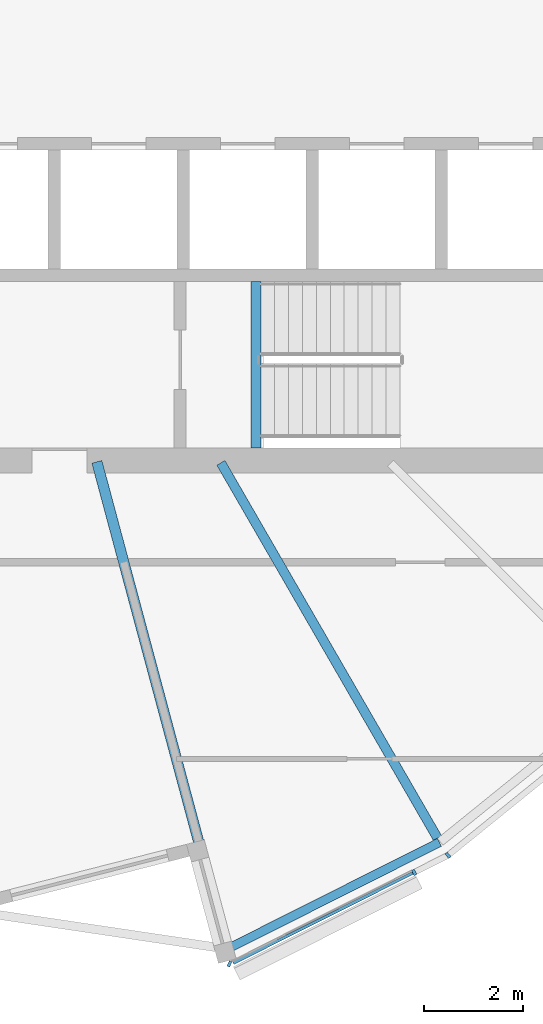
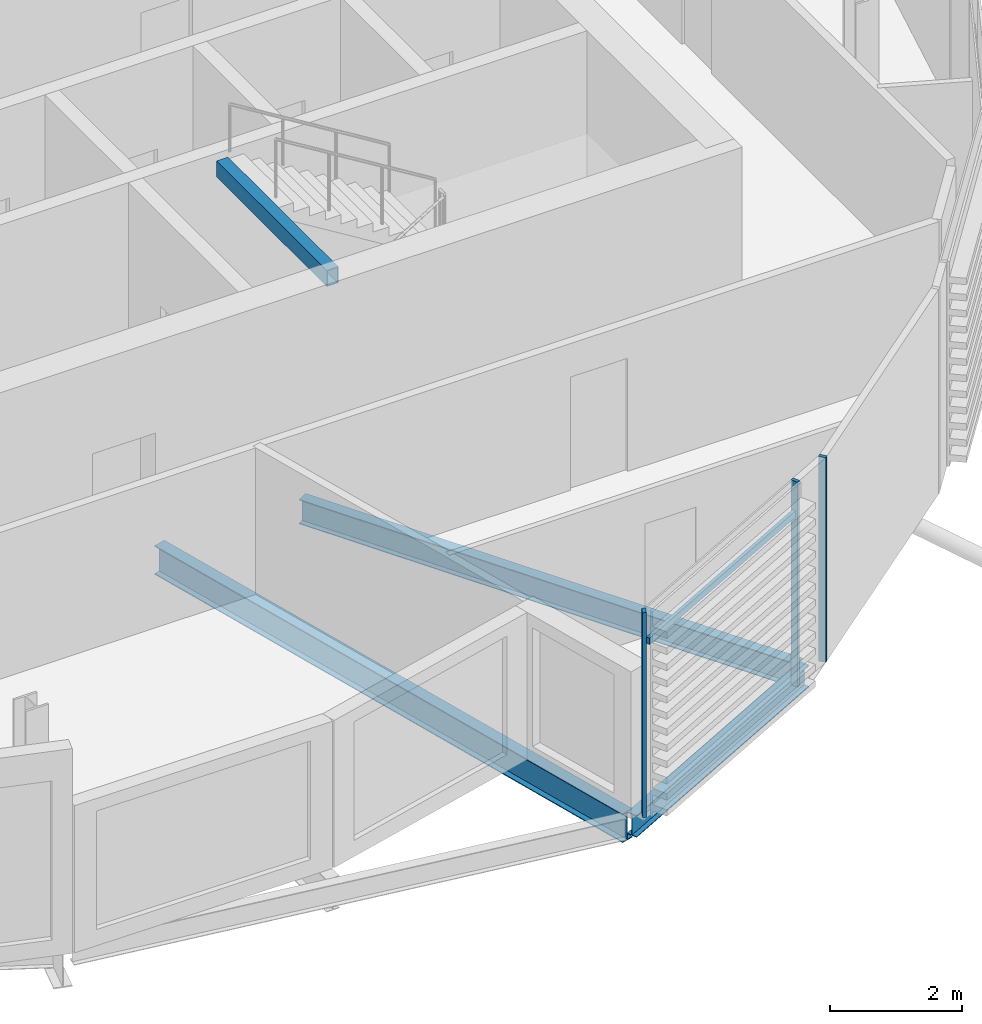
# One storey, part 10 of 33: 4 beams, 4 members, 1 element without a shape of its own.
"""IFC4 building model written with IfcOpenShell, lengths in metres."""

import ifcopenshell
import ifcopenshell.guid

model = None  # the IFC model being written
_history = None  # IfcOwnerHistory: only IFC2X3 demands one
_inside = {}  # id of a spatial element -> (the spatial element, [elements in it])
_under = {}  # id of a project, library or spatial element -> (it, [spatial elements below it])
_declared = {}  # id of a project -> (the project, [libraries it declares])
_typed = {}  # id of a type object -> (the type object, [elements of that type])
_made_of = {}  # id of a material, layer set ... -> (it, [elements and type objects made of it])


def new_model(schema):
    """Start an empty IFC model of exactly this schema.

    Asked for "IFC4X3", IfcOpenShell would pick the latest addendum, in which some entities
    have other attributes; the version numbers below select the first issue.
    IFC2X3 requires an IfcOwnerHistory on every rooted entity: one is made here for all.
    """
    global model, _history
    if schema == "IFC4X3":
        model = ifcopenshell.file(schema_version=(4, 3, 0, 0))
    else:
        model = ifcopenshell.file(schema=schema)
    _inside.clear()
    _under.clear()
    _declared.clear()
    _typed.clear()
    _made_of.clear()
    _history = None
    if model.schema == "IFC2X3":
        org = make("IfcOrganization", Name="unknown")
        user = make(
            "IfcPersonAndOrganization",
            ThePerson=make("IfcPerson", FamilyName="unknown"),
            TheOrganization=org,
        )
        app = make(
            "IfcApplication",
            ApplicationDeveloper=org,
            Version="unknown",
            ApplicationFullName="unknown",
            ApplicationIdentifier="unknown",
        )
        _history = make(
            "IfcOwnerHistory",
            OwningUser=user,
            OwningApplication=app,
            ChangeAction="ADDED",
            CreationDate=0,
        )
    return model


def make(cls, **values):
    """One entity of the class cls with the attributes given. An attribute that is None is left unset."""
    return model.create_entity(
        cls, **{name: value for name, value in values.items() if value is not None}
    )


def rooted(cls, **values):
    """An entity with a GlobalId (a new one), such as an element, a storey or a relation."""
    return make(cls, GlobalId=ifcopenshell.guid.new(), OwnerHistory=_history, **values)


def si_unit(unit_type, name, prefix=None):
    """IfcSIUnit, for example si_unit("LENGTHUNIT", "METRE", prefix="MILLI")."""
    return make("IfcSIUnit", UnitType=unit_type, Prefix=prefix, Name=name)


def assignment(units):
    """IfcUnitAssignment: the units of a project."""
    return None if units is None else make("IfcUnitAssignment", Units=units)


def point(xyz):
    """IfcCartesianPoint."""
    return None if xyz is None else make("IfcCartesianPoint", Coordinates=xyz)


def direction(xyz):
    """IfcDirection."""
    return None if xyz is None else make("IfcDirection", DirectionRatios=xyz)


def frame(location, z_axis=None, x_axis=None):
    """IfcAxis2Placement3D, a coordinate frame: its origin and axes. An axis left out is left unset."""
    return make(
        "IfcAxis2Placement3D",
        Location=point(location),
        Axis=direction(z_axis),
        RefDirection=direction(x_axis),
    )


def frame_2d(location, x_axis=None):
    """IfcAxis2Placement2D, a coordinate frame in the plane: its origin and x axis."""
    return make(
        "IfcAxis2Placement2D", Location=point(location), RefDirection=direction(x_axis)
    )


def origin():
    """The frame at (0, 0, 0) with its axes left unset."""
    return frame((0.0, 0.0, 0.0))


def origin_2d():
    """The frame at (0, 0) in the plane with its x axis left unset."""
    return frame_2d((0.0, 0.0))


def place(relative_to, where):
    """IfcLocalPlacement: puts the frame where relative to a parent placement (None: the world)."""
    return make(
        "IfcLocalPlacement", PlacementRelTo=relative_to, RelativePlacement=where
    )


def context(
    kind, dimensions, precision=None, world=None, true_north=None, identifier=None
):
    """IfcGeometricRepresentationContext, for example the 3D "Model" context."""
    return make(
        "IfcGeometricRepresentationContext",
        ContextIdentifier=identifier,
        ContextType=kind,
        CoordinateSpaceDimension=dimensions,
        Precision=precision,
        WorldCoordinateSystem=world,
        TrueNorth=true_north,
    )


def subcontext(parent, identifier, kind, view, scale=None):
    """IfcGeometricRepresentationSubContext, for example "Body" below "Model"."""
    return make(
        "IfcGeometricRepresentationSubContext",
        ContextIdentifier=identifier,
        ContextType=kind,
        ParentContext=parent,
        TargetScale=scale,
        TargetView=view,
    )


def project(units=None, contexts=None):
    """IfcProject with its units and contexts."""
    return rooted(
        "IfcProject",
        Name="project",
        RepresentationContexts=contexts,
        UnitsInContext=assignment(units),
    )


def spatial(cls, under=None, at=None, **own):
    """A site, building, storey or space (cls), placed at a placement, below another one or the project."""
    s = rooted(cls, ObjectPlacement=at, **own)
    if under is not None:
        _under.setdefault(under.id(), (under, []))[1].append(s)
    return s


def profile(cls, at=None, kind="AREA", **sizes):
    """A parametric profile (cls). Its sizes go by their IFC names, for example OverallWidth=200.0."""
    return make(cls, ProfileType=kind, Position=at, **sizes)


def rectangle(**sizes):
    """IfcRectangleProfileDef."""
    return profile("IfcRectangleProfileDef", **sizes)


def hollow_rectangle(**sizes):
    """IfcRectangleHollowProfileDef."""
    return profile("IfcRectangleHollowProfileDef", **sizes)


def i_section(**sizes):
    """IfcIShapeProfileDef."""
    return profile("IfcIShapeProfileDef", **sizes)


def extrude(swept, where, along, depth):
    """IfcExtrudedAreaSolid: the profile swept, set in the frame where, extruded along a direction by depth."""
    return make(
        "IfcExtrudedAreaSolid",
        SweptArea=swept,
        Position=where,
        ExtrudedDirection=direction(along),
        Depth=depth,
    )


def shape(context_of_items, identifier, shape_type, items):
    """IfcShapeRepresentation: the items that make up one representation, for example the "Body"."""
    return make(
        "IfcShapeRepresentation",
        ContextOfItems=context_of_items,
        RepresentationIdentifier=identifier,
        RepresentationType=shape_type,
        Items=items,
    )


def material(Name=None, Category=None):
    """IfcMaterial."""
    return make("IfcMaterial", Name=Name, Category=Category)


def material_profile(
    of_material, cross_section, Name=None, Category=None, Priority=None
):
    """IfcMaterialProfile: a cross section and its material."""
    return make(
        "IfcMaterialProfile",
        Name=Name,
        Material=of_material,
        Profile=cross_section,
        Priority=Priority,
        Category=Category,
    )


def profile_set(profiles, Name=None, composite=None):
    """IfcMaterialProfileSet."""
    return make(
        "IfcMaterialProfileSet",
        Name=Name,
        MaterialProfiles=profiles,
        CompositeProfile=composite,
    )


def made_of(thing, what):
    """Note that an element or type object is made of a material, layer set ...; save() writes the relation."""
    if what is not None:
        _made_of.setdefault(what.id(), (what, []))[1].append(thing)
    return thing


def type_object(cls, material=None, **own):
    """A type object (cls), such as IfcWallType, which elements share."""
    return made_of(rooted(cls, **own), material)


def element(
    cls,
    number,
    at=None,
    inside=None,
    cuts=None,
    type_object=None,
    material=None,
    context=None,
    identifier="Body",
    shape_type=None,
    held_by="IfcProductDefinitionShape",
    body=None,
    shapes=None,
    **own,
):
    """One element of the class cls, such as IfcWall. Its Tag is "e" and its number.

    at: its placement. inside: the storey or other place that contains it. cuts: it is an
    opening in that element (IfcRelVoidsElement). A single representation is given by context,
    identifier, shape_type and body (its items); several are given by shapes. held_by: the class
    of the entity that holds the representations. save() writes the other relations.
    """
    e = rooted(cls, Tag="e%d" % number, ObjectPlacement=at, **own)
    if body is not None:
        shapes = [shape(context, identifier, shape_type, body)]
    if shapes is not None:
        e.Representation = make(held_by, Representations=shapes)
    if inside is not None:
        _inside.setdefault(inside.id(), (inside, []))[1].append(e)
    if cuts is not None:
        rooted(
            "IfcRelVoidsElement", RelatingBuildingElement=cuts, RelatedOpeningElement=e
        )
    if type_object is not None:
        _typed.setdefault(type_object.id(), (type_object, []))[1].append(e)
    return made_of(e, material)


def aggregate(whole, parts):
    """IfcRelAggregates: a whole, such as a stair, and the parts it consists of."""
    return rooted("IfcRelAggregates", RelatingObject=whole, RelatedObjects=parts)


def save(model, path):
    """Write the relations noted so far, then the file.

    IfcRelAggregates (storeys below a building ...), IfcRelContainedInSpatialStructure (elements
    in a storey), IfcRelDefinesByType, IfcRelAssociatesMaterial and IfcRelDeclares: one each for
    every whole, place, type object, material and project.
    """
    for whole, parts in _under.values():
        aggregate(whole, parts)
    for where, things in _inside.values():
        rooted(
            "IfcRelContainedInSpatialStructure",
            RelatedElements=things,
            RelatingStructure=where,
        )
    for kind, things in _typed.values():
        rooted("IfcRelDefinesByType", RelatedObjects=things, RelatingType=kind)
    for what, things in _made_of.values():
        rooted("IfcRelAssociatesMaterial", RelatedObjects=things, RelatingMaterial=what)
    for by, libraries in _declared.values():
        rooted("IfcRelDeclares", RelatingContext=by, RelatedDefinitions=libraries)
    model.write(path)


model = new_model("IFC4")

# Units and contexts
model_context = context("Model", 3, precision=1e-05, world=origin(), true_north=direction((0.0, 1.0)))
body_context = subcontext(model_context, "Body", "Model", "MODEL_VIEW")
ifc_project = project(units=[si_unit("LENGTHUNIT", "METRE"), si_unit("AREAUNIT", "SQUARE_METRE"), si_unit("VOLUMEUNIT", "CUBIC_METRE"), si_unit("PLANEANGLEUNIT", "RADIAN"), si_unit("MASSUNIT", "GRAM", prefix="KILO")], contexts=[model_context])

# Site, building, storey
site_placement = place(None, origin())
site = spatial("IfcSite", under=ifc_project, at=site_placement, CompositionType="ELEMENT")
building_placement = place(site_placement, origin())
building = spatial("IfcBuilding", under=site, at=building_placement, Name="Rimbun Link Towers", CompositionType="ELEMENT")
storey_placement = place(building_placement, frame((0.0, 0.0, 237.10009765625)))
storey = spatial("IfcBuildingStorey", under=building, at=storey_placement, Name="L58", CompositionType="ELEMENT", Elevation=237.10009765625)

# Curtain wall, members
ifc_material_1 = material(Name="Aluminium 6063-T6 and low-iron glass", Category="aluminium")
curtain_wall_type = type_object("IfcCurtainWallType", Name="CW1-Z4 unitised vision wall (zone 4)", PredefinedType="NOTDEFINED", material=ifc_material_1)
curtain_wall_placement = place(storey_placement, origin())
curtain_wall = element("IfcCurtainWall", 1, at=curtain_wall_placement, inside=storey, type_object=curtain_wall_type, Name="CW1 L58 T2", PredefinedType="NOTDEFINED")
ifc_material_2 = material(Name="Aluminium 6063-T6", Category="aluminium")
ifc_material_profile_1 = material_profile(ifc_material_2, rectangle(XDim=0.1201171875, YDim=0.06005859375, at=origin_2d()), Name="MULLION 60X120")
ifc_profile_set_1 = profile_set([ifc_material_profile_1], Name="Aluminium 6063-T6")
member_type_1 = type_object("IfcMemberType", Name="CW1 mullion 60X120", PredefinedType="MULLION", material=ifc_profile_set_1)
member_1_placement = place(storey_placement, frame((40.28759765625, -16.2919921875, 0.0), z_axis=(0.0, 0.0, 1.0), x_axis=(0.448779041213, -0.893642754219, 0.0)))
member_1 = element("IfcMember", 2, at=member_1_placement, type_object=member_type_1, Name="CW1 mullion", PredefinedType="MULLION", context=body_context, shape_type="SweptSolid", body=[
    extrude(rectangle(XDim=0.1201171875, YDim=0.06005859375, at=origin_2d()), origin(), (0.0, 0.0, 1.0), 3.7998046875),
])
member_2_placement = place(storey_placement, frame((36.56982421875, -18.134521484375, 0.0), z_axis=(0.0, 0.0, 1.0), x_axis=(-0.409410299014, -0.912350375164, 0.0)))
member_2 = element("IfcMember", 3, at=member_2_placement, type_object=member_type_1, Name="CW1 mullion", PredefinedType="MULLION", context=body_context, shape_type="SweptSolid", body=[
    extrude(rectangle(XDim=0.1201171875, YDim=0.06005859375, at=origin_2d()), origin(), (0.0, 0.0, 1.0), 3.7998046875),
])
member_3_placement = place(storey_placement, frame((40.96875, -15.948486328125, 0.0), z_axis=(0.0, 0.0, 1.0), x_axis=(0.629148262313, -0.777285317003, 0.0)))
member_3 = element("IfcMember", 4, at=member_3_placement, type_object=member_type_1, Name="CW1 mullion", PredefinedType="MULLION", context=body_context, shape_type="SweptSolid", body=[
    extrude(rectangle(XDim=0.1201171875, YDim=0.06005859375, at=origin_2d()), origin(), (0.0, 0.0, 1.0), 3.7998046875),
])
ifc_material_3 = material(Name="Aluminium 6063-T6", Category="aluminium")
ifc_material_profile_2 = material_profile(ifc_material_3, rectangle(XDim=0.06005859375, YDim=0.1201171875, at=origin_2d()), Name="TRANSOM 60X120")
ifc_profile_set_2 = profile_set([ifc_material_profile_2], Name="Aluminium 6063-T6")
member_type_2 = type_object("IfcMemberType", Name="CW1 transom 60X120", PredefinedType="USERDEFINED", material=ifc_profile_set_2)
member_4_placement = place(storey_placement, frame((40.260009765625, -16.3037109375, 3.199951171875), z_axis=(-0.893628642312, -0.448807140807, 0.0), x_axis=(0.448807140807, -0.893628642312, 0.0)))
member_4 = element("IfcMember", 5, at=member_4_placement, type_object=member_type_2, Name="CW1 transom", ObjectType="TRANSOM", PredefinedType="USERDEFINED", context=body_context, shape_type="SweptSolid", body=[
    extrude(rectangle(XDim=0.06005859375, YDim=0.1201171875, at=origin_2d()), origin(), (0.0, 0.0, 1.0), 4.042724609375),
])
aggregate(curtain_wall, [member_1, member_2, member_3, member_4])

# Beams
ifc_material_4 = material(Name="Steel S355J2", Category="steel")
ifc_material_profile_3 = material_profile(ifc_material_4, hollow_rectangle(XDim=0.199951171875, YDim=0.300048828125, WallThickness=0.011962890625, at=origin_2d()), Name="BOX 300x200x12")
ifc_profile_set_3 = profile_set([ifc_material_profile_3], Name="Steel S355J2")
beam_type_1 = type_object("IfcBeamType", Name="Stair trimmer beam BOX 300x200x12", PredefinedType="BEAM", material=ifc_profile_set_3)
beam_1_placement = place(storey_placement, frame((37.10009765625, -7.75, 3.510009765625), z_axis=(0.0, 1.0, 0.0), x_axis=(-1.0, 0.0, 0.0)))
element("IfcBeam", 6, at=beam_1_placement, inside=storey, type_object=beam_type_1, Name="L58 ST4 stair beam 1", PredefinedType="BEAM", context=body_context, shape_type="SweptSolid", body=[
    extrude(hollow_rectangle(XDim=0.199951171875, YDim=0.300048828125, WallThickness=0.011962890625, at=origin_2d()), origin(), (0.0, 0.0, 1.0), 3.35009765625),
])
ifc_material_5 = material(Name="Steel S355J2", Category="steel")
ifc_material_profile_4 = material_profile(ifc_material_5, i_section(OverallWidth=0.177978515625, OverallDepth=0.406494140625, WebThickness=0.0078125, FlangeThickness=0.0126953125, at=origin_2d()), Name="UB 406x178x60")
ifc_profile_set_4 = profile_set([ifc_material_profile_4], Name="Steel S355J2")
beam_type_2 = type_object("IfcBeamType", Name="UB 406x178x60", PredefinedType="BEAM", material=ifc_profile_set_4)
beam_2_placement = place(storey_placement, frame((36.529296875, -17.832763671875, -0.34326171875), z_axis=(0.893381661321, 0.44929857246, 0.0), x_axis=(-0.44929857246, 0.893381661321, 0.0)))
element("IfcBeam", 7, at=beam_2_placement, inside=storey, type_object=beam_type_2, Name="Edge beam T2 L58 16", PredefinedType="BEAM", context=body_context, shape_type="SweptSolid", body=[
    extrude(i_section(OverallWidth=0.177978515625, OverallDepth=0.406494140625, WebThickness=0.0078125, FlangeThickness=0.0126953125, at=origin_2d()), origin(), (0.0, 0.0, 1.0), 4.774658203125),
])
ifc_material_6 = material(Name="Steel S355J2", Category="steel")
ifc_material_profile_5 = material_profile(ifc_material_6, i_section(OverallWidth=0.18994140625, OverallDepth=0.453369140625, WebThickness=0.008544921875, FlangeThickness=0.0126953125, at=origin_2d()), Name="UB 457x191x67")
ifc_profile_set_5 = profile_set([ifc_material_profile_5], Name="Steel S355J2")
beam_type_3 = type_object("IfcBeamType", Name="UB 457x191x67", PredefinedType="BEAM", material=ifc_profile_set_5)
beam_3_placement = place(storey_placement, frame((36.396728515625, -8.04833984375, -0.36669921875), z_axis=(0.500009061797, -0.86602017189, 0.0), x_axis=(0.86602017189, 0.500009061797, 0.0)))
element("IfcBeam", 8, at=beam_3_placement, inside=storey, type_object=beam_type_3, Name="Radial beam T2 L58 17", PredefinedType="BEAM", context=body_context, shape_type="SweptSolid", body=[
    extrude(i_section(OverallWidth=0.18994140625, OverallDepth=0.453369140625, WebThickness=0.008544921875, FlangeThickness=0.0126953125, at=origin_2d()), origin(), (0.0, 0.0, 1.0), 8.725341796875),
])
ifc_material_7 = material(Name="Steel S355J2", Category="steel")
ifc_material_profile_6 = material_profile(ifc_material_7, i_section(OverallWidth=0.209228515625, OverallDepth=0.533203125, WebThickness=0.010009765625, FlangeThickness=0.015625, at=origin_2d()), Name="UB 533x210x92")
ifc_profile_set_6 = profile_set([ifc_material_profile_6], Name="Steel S355J2")
beam_type_4 = type_object("IfcBeamType", Name="UB 533x210x92", PredefinedType="BEAM", material=ifc_profile_set_6)
beam_4_placement = place(storey_placement, frame((33.901123046875, -8.028076171875, -0.406494140625), z_axis=(0.258822623886, -0.96592486735, 0.0), x_axis=(0.96592486735, 0.258822623886, 0.0)))
element("IfcBeam", 9, at=beam_4_placement, inside=storey, type_object=beam_type_4, Name="Radial beam T2 L58 16", PredefinedType="BEAM", context=body_context, shape_type="SweptSolid", body=[
    extrude(i_section(OverallWidth=0.209228515625, OverallDepth=0.533203125, WebThickness=0.010009765625, FlangeThickness=0.015625, at=origin_2d()), origin(), (0.0, 0.0, 1.0), 10.05908203125),
])

save(model, "model.ifc")
